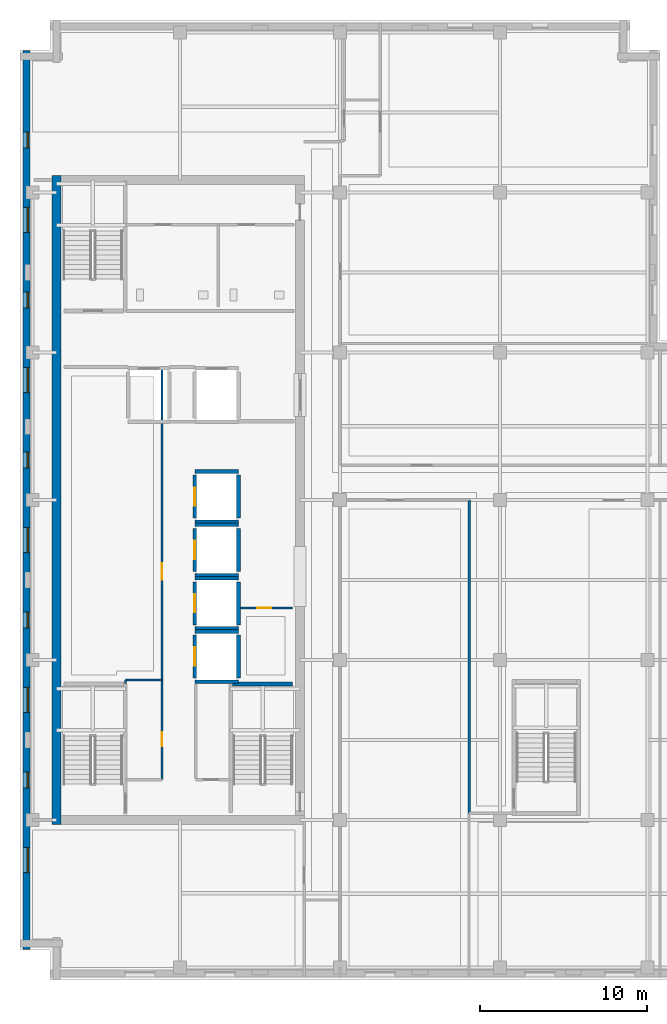
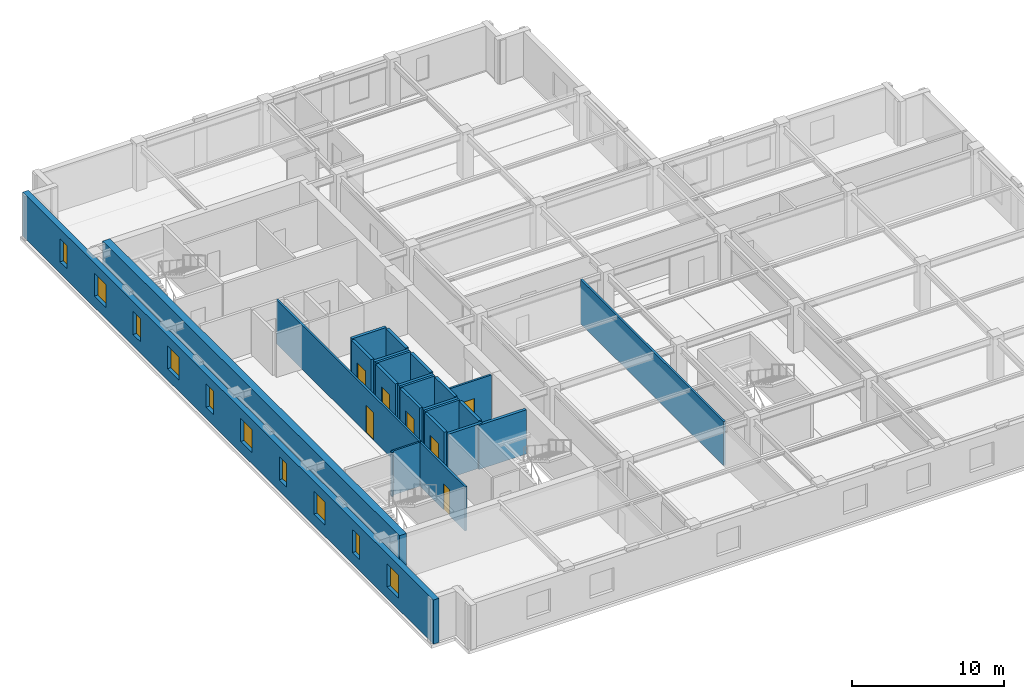
# One storey, part 4 of 12: 24 walls, 10 windows, 7 doors, 17 openings.
"""IFC4 building model written with IfcOpenShell, lengths in metres."""

from ifc_helpers import new_model, si_unit, direction, frame, frame_2d, origin, place, context, subcontext, project, spatial, rectangle, extrude, material, layer, layer_set, type_object, element, fill, save


model = new_model("IFC4")

# Units and contexts
model_context = context("Model", 3, precision=1e-05, world=origin(), true_north=direction((0.0, 1.0)))
body_context = subcontext(model_context, "Body", "Model", "MODEL_VIEW")
ifc_project = project(units=[si_unit("LENGTHUNIT", "METRE"), si_unit("AREAUNIT", "SQUARE_METRE"), si_unit("VOLUMEUNIT", "CUBIC_METRE"), si_unit("PLANEANGLEUNIT", "RADIAN"), si_unit("MASSUNIT", "GRAM", prefix="KILO")], contexts=[model_context])

# Site, building, storey
site_placement = place(None, origin())
site = spatial("IfcSite", under=ifc_project, at=site_placement, CompositionType="ELEMENT")
building_placement = place(site_placement, origin())
building = spatial("IfcBuilding", under=site, at=building_placement, Name="Norrvale University Quadrangle", CompositionType="ELEMENT")
storey_placement = place(building_placement, frame((0.0, 0.0, 244.60009765625)))
storey = spatial("IfcBuildingStorey", under=building, at=storey_placement, Name="L62", CompositionType="ELEMENT", Elevation=244.60009765625)

# Wall, openings, windows
ifc_material_1 = material(Name="Buff Norman Clay Brick Masonry", Category="masonry")
ifc_layer_1 = layer(ifc_material_1, 0.419921875, Name="Buff Norman Clay Brick Masonry")
ifc_layer_set_1 = layer_set([ifc_layer_1], Name="Buff Norman Clay Brick Masonry")
wall_type_1 = type_object("IfcWallType", Name="Wall Buff Brick 420", PredefinedType="SOLIDWALL", material=ifc_layer_set_1)
wall_1_placement = place(storey_placement, frame((0.389892578125, 55.760009765625, 0.0), z_axis=(0.0, 0.0, 1.0), x_axis=(0.0, -1.0, 0.0)))
wall_1 = element("IfcWall", 1, at=wall_1_placement, inside=storey, type_object=wall_type_1, Name="Exterior Brick Facade Wall L62-14.1", PredefinedType="SOLIDWALL", context=body_context, shape_type="SweptSolid", body=[
    extrude(rectangle(XDim=53.919921875, YDim=0.419921875, at=frame_2d((26.9599609375, 0.0))), origin(), (0.0, 0.0, 1.0), 3.539794921875),
])
opening_1_placement = place(wall_1_placement, frame((4.885009765625, 0.0, 0.89990234375)))
opening_1 = element("IfcOpeningElement", 2, at=opening_1_placement, cuts=wall_1, Name="Opening W04", PredefinedType="OPENING", context=body_context, shape_type="SweptSolid", body=[
    extrude(rectangle(XDim=0.949951171875, YDim=1.85009765625, at=frame_2d((0.47509765625, 0.925048828125))), frame((0.0, 0.221923828125, 0.0), z_axis=(0.0, -1.0, 0.0), x_axis=(1.0, 0.0, 0.0)), (0.0, 0.0, 1.0), 0.44384765625),
])
opening_2_placement = place(wall_1_placement, frame((9.409912109375, 0.0, 0.89990234375)))
opening_2 = element("IfcOpeningElement", 3, at=opening_2_placement, cuts=wall_1, Name="Opening W03", PredefinedType="OPENING", context=body_context, shape_type="SweptSolid", body=[
    extrude(rectangle(XDim=1.5, YDim=1.85009765625, at=frame_2d((0.75, 0.925048828125))), frame((0.0, 0.221923828125, 0.0), z_axis=(0.0, -1.0, 0.0), x_axis=(1.0, 0.0, 0.0)), (0.0, 0.0, 1.0), 0.44384765625),
])
opening_3_placement = place(wall_1_placement, frame((14.485107421875, 0.0, 0.89990234375)))
opening_3 = element("IfcOpeningElement", 4, at=opening_3_placement, cuts=wall_1, Name="Opening W04", PredefinedType="OPENING", context=body_context, shape_type="SweptSolid", body=[
    extrude(rectangle(XDim=0.949951171875, YDim=1.85009765625, at=frame_2d((0.47509765625, 0.925048828125))), frame((0.0, 0.221923828125, 0.0), z_axis=(0.0, -1.0, 0.0), x_axis=(1.0, 0.0, 0.0)), (0.0, 0.0, 1.0), 0.44384765625),
])
opening_4_placement = place(wall_1_placement, frame((19.010009765625, 0.0, 0.89990234375)))
opening_4 = element("IfcOpeningElement", 5, at=opening_4_placement, cuts=wall_1, Name="Opening W03", PredefinedType="OPENING", context=body_context, shape_type="SweptSolid", body=[
    extrude(rectangle(XDim=1.5, YDim=1.85009765625, at=frame_2d((0.75, 0.925048828125))), frame((0.0, 0.221923828125, 0.0), z_axis=(0.0, -1.0, 0.0), x_axis=(1.0, 0.0, 0.0)), (0.0, 0.0, 1.0), 0.44384765625),
])
opening_5_placement = place(wall_1_placement, frame((24.0849609375, 0.0, 0.89990234375)))
opening_5 = element("IfcOpeningElement", 6, at=opening_5_placement, cuts=wall_1, Name="Opening W04", PredefinedType="OPENING", context=body_context, shape_type="SweptSolid", body=[
    extrude(rectangle(XDim=0.949951171875, YDim=1.85009765625, at=frame_2d((0.47509765625, 0.925048828125))), frame((0.0, 0.221923828125, 0.0), z_axis=(0.0, -1.0, 0.0), x_axis=(1.0, 0.0, 0.0)), (0.0, 0.0, 1.0), 0.44384765625),
])
opening_6_placement = place(wall_1_placement, frame((28.610107421875, 0.0, 0.89990234375)))
opening_6 = element("IfcOpeningElement", 7, at=opening_6_placement, cuts=wall_1, Name="Opening W03", PredefinedType="OPENING", context=body_context, shape_type="SweptSolid", body=[
    extrude(rectangle(XDim=1.5, YDim=1.85009765625, at=frame_2d((0.75, 0.925048828125))), frame((0.0, 0.221923828125, 0.0), z_axis=(0.0, -1.0, 0.0), x_axis=(1.0, 0.0, 0.0)), (0.0, 0.0, 1.0), 0.44384765625),
])
opening_7_placement = place(wall_1_placement, frame((33.68505859375, 0.0, 0.89990234375)))
opening_7 = element("IfcOpeningElement", 8, at=opening_7_placement, cuts=wall_1, Name="Opening W04", PredefinedType="OPENING", context=body_context, shape_type="SweptSolid", body=[
    extrude(rectangle(XDim=0.949951171875, YDim=1.85009765625, at=frame_2d((0.47509765625, 0.925048828125))), frame((0.0, 0.221923828125, 0.0), z_axis=(0.0, -1.0, 0.0), x_axis=(1.0, 0.0, 0.0)), (0.0, 0.0, 1.0), 0.44384765625),
])
opening_8_placement = place(wall_1_placement, frame((38.2099609375, 0.0, 0.89990234375)))
opening_8 = element("IfcOpeningElement", 9, at=opening_8_placement, cuts=wall_1, Name="Opening W03", PredefinedType="OPENING", context=body_context, shape_type="SweptSolid", body=[
    extrude(rectangle(XDim=1.5, YDim=1.85009765625, at=frame_2d((0.75, 0.925048828125))), frame((0.0, 0.221923828125, 0.0), z_axis=(0.0, -1.0, 0.0), x_axis=(1.0, 0.0, 0.0)), (0.0, 0.0, 1.0), 0.44384765625),
])
opening_9_placement = place(wall_1_placement, frame((43.284912109375, 0.0, 0.89990234375)))
opening_9 = element("IfcOpeningElement", 10, at=opening_9_placement, cuts=wall_1, Name="Opening W04", PredefinedType="OPENING", context=body_context, shape_type="SweptSolid", body=[
    extrude(rectangle(XDim=0.949951171875, YDim=1.85009765625, at=frame_2d((0.47509765625, 0.925048828125))), frame((0.0, 0.221923828125, 0.0), z_axis=(0.0, -1.0, 0.0), x_axis=(1.0, 0.0, 0.0)), (0.0, 0.0, 1.0), 0.44384765625),
])
opening_10_placement = place(wall_1_placement, frame((47.81005859375, 0.0, 0.89990234375)))
opening_10 = element("IfcOpeningElement", 11, at=opening_10_placement, cuts=wall_1, Name="Opening W03", PredefinedType="OPENING", context=body_context, shape_type="SweptSolid", body=[
    extrude(rectangle(XDim=1.5, YDim=1.85009765625, at=frame_2d((0.75, 0.925048828125))), frame((0.0, 0.221923828125, 0.0), z_axis=(0.0, -1.0, 0.0), x_axis=(1.0, 0.0, 0.0)), (0.0, 0.0, 1.0), 0.44384765625),
])
ifc_material_2 = material(Name="Triple Low-E Argon Glazing", Category="glass")
window_type_1 = type_object("IfcWindowType", Name="Window Narrow Pier 950x2300", PartitioningType="SINGLE_PANEL", PredefinedType="WINDOW", material=ifc_material_2)
window_1_placement = place(opening_1_placement, origin())
window_1 = element("IfcWindow", 12, at=window_1_placement, inside=storey, type_object=window_type_1, Name="Window Narrow Pier 950x2300 WIN-L62-E14-1-01", OverallHeight=1.85009765625, OverallWidth=0.949951171875, PartitioningType="SINGLE_PANEL", PredefinedType="WINDOW", context=body_context, shape_type="SweptSolid", body=[
    extrude(rectangle(XDim=0.949951171875, YDim=1.85009765625, at=frame_2d((0.47509765625, 0.925048828125))), frame((0.0, 0.110107421875, 0.0), z_axis=(0.0, -1.0, 0.0), x_axis=(1.0, 0.0, 0.0)), (0.0, 0.0, 1.0), 0.06005859375),
])
fill(opening_1, window_1)
window_2_placement = place(opening_3_placement, origin())
window_2 = element("IfcWindow", 13, at=window_2_placement, inside=storey, type_object=window_type_1, Name="Window Narrow Pier 950x2300 WIN-L62-E14-1-03", OverallHeight=1.85009765625, OverallWidth=0.949951171875, PartitioningType="SINGLE_PANEL", PredefinedType="WINDOW", context=body_context, shape_type="SweptSolid", body=[
    extrude(rectangle(XDim=0.949951171875, YDim=1.85009765625, at=frame_2d((0.47509765625, 0.925048828125))), frame((0.0, 0.110107421875, 0.0), z_axis=(0.0, -1.0, 0.0), x_axis=(1.0, 0.0, 0.0)), (0.0, 0.0, 1.0), 0.06005859375),
])
fill(opening_3, window_2)
window_3_placement = place(opening_5_placement, origin())
window_3 = element("IfcWindow", 14, at=window_3_placement, inside=storey, type_object=window_type_1, Name="Window Narrow Pier 950x2300 WIN-L62-E14-1-05", OverallHeight=1.85009765625, OverallWidth=0.949951171875, PartitioningType="SINGLE_PANEL", PredefinedType="WINDOW", context=body_context, shape_type="SweptSolid", body=[
    extrude(rectangle(XDim=0.949951171875, YDim=1.85009765625, at=frame_2d((0.47509765625, 0.925048828125))), frame((0.0, 0.110107421875, 0.0), z_axis=(0.0, -1.0, 0.0), x_axis=(1.0, 0.0, 0.0)), (0.0, 0.0, 1.0), 0.06005859375),
])
fill(opening_5, window_3)
window_4_placement = place(opening_7_placement, origin())
window_4 = element("IfcWindow", 15, at=window_4_placement, inside=storey, type_object=window_type_1, Name="Window Narrow Pier 950x2300 WIN-L62-E14-1-07", OverallHeight=1.85009765625, OverallWidth=0.949951171875, PartitioningType="SINGLE_PANEL", PredefinedType="WINDOW", context=body_context, shape_type="SweptSolid", body=[
    extrude(rectangle(XDim=0.949951171875, YDim=1.85009765625, at=frame_2d((0.47509765625, 0.925048828125))), frame((0.0, 0.110107421875, 0.0), z_axis=(0.0, -1.0, 0.0), x_axis=(1.0, 0.0, 0.0)), (0.0, 0.0, 1.0), 0.06005859375),
])
fill(opening_7, window_4)
window_5_placement = place(opening_9_placement, origin())
window_5 = element("IfcWindow", 16, at=window_5_placement, inside=storey, type_object=window_type_1, Name="Window Narrow Pier 950x2300 WIN-L62-E14-1-09", OverallHeight=1.85009765625, OverallWidth=0.949951171875, PartitioningType="SINGLE_PANEL", PredefinedType="WINDOW", context=body_context, shape_type="SweptSolid", body=[
    extrude(rectangle(XDim=0.949951171875, YDim=1.85009765625, at=frame_2d((0.47509765625, 0.925048828125))), frame((0.0, 0.110107421875, 0.0), z_axis=(0.0, -1.0, 0.0), x_axis=(1.0, 0.0, 0.0)), (0.0, 0.0, 1.0), 0.06005859375),
])
fill(opening_9, window_5)
window_type_2 = type_object("IfcWindowType", Name="Window Studio 1500x2300", PartitioningType="DOUBLE_PANEL_VERTICAL", PredefinedType="WINDOW", material=ifc_material_2)
window_6_placement = place(opening_2_placement, origin())
window_6 = element("IfcWindow", 17, at=window_6_placement, inside=storey, type_object=window_type_2, Name="Window Studio 1500x2300 WIN-L62-E14-1-02", OverallHeight=1.85009765625, OverallWidth=1.5, PartitioningType="DOUBLE_PANEL_VERTICAL", PredefinedType="WINDOW", context=body_context, shape_type="SweptSolid", body=[
    extrude(rectangle(XDim=1.5, YDim=1.85009765625, at=frame_2d((0.75, 0.925048828125))), frame((0.0, 0.110107421875, 0.0), z_axis=(0.0, -1.0, 0.0), x_axis=(1.0, 0.0, 0.0)), (0.0, 0.0, 1.0), 0.06005859375),
])
fill(opening_2, window_6)
window_7_placement = place(opening_4_placement, origin())
window_7 = element("IfcWindow", 18, at=window_7_placement, inside=storey, type_object=window_type_2, Name="Window Studio 1500x2300 WIN-L62-E14-1-04", OverallHeight=1.85009765625, OverallWidth=1.5, PartitioningType="DOUBLE_PANEL_VERTICAL", PredefinedType="WINDOW", context=body_context, shape_type="SweptSolid", body=[
    extrude(rectangle(XDim=1.5, YDim=1.85009765625, at=frame_2d((0.75, 0.925048828125))), frame((0.0, 0.110107421875, 0.0), z_axis=(0.0, -1.0, 0.0), x_axis=(1.0, 0.0, 0.0)), (0.0, 0.0, 1.0), 0.06005859375),
])
fill(opening_4, window_7)
window_8_placement = place(opening_6_placement, origin())
window_8 = element("IfcWindow", 19, at=window_8_placement, inside=storey, type_object=window_type_2, Name="Window Studio 1500x2300 WIN-L62-E14-1-06", OverallHeight=1.85009765625, OverallWidth=1.5, PartitioningType="DOUBLE_PANEL_VERTICAL", PredefinedType="WINDOW", context=body_context, shape_type="SweptSolid", body=[
    extrude(rectangle(XDim=1.5, YDim=1.85009765625, at=frame_2d((0.75, 0.925048828125))), frame((0.0, 0.110107421875, 0.0), z_axis=(0.0, -1.0, 0.0), x_axis=(1.0, 0.0, 0.0)), (0.0, 0.0, 1.0), 0.06005859375),
])
fill(opening_6, window_8)
window_9_placement = place(opening_8_placement, origin())
window_9 = element("IfcWindow", 20, at=window_9_placement, inside=storey, type_object=window_type_2, Name="Window Studio 1500x2300 WIN-L62-E14-1-08", OverallHeight=1.85009765625, OverallWidth=1.5, PartitioningType="DOUBLE_PANEL_VERTICAL", PredefinedType="WINDOW", context=body_context, shape_type="SweptSolid", body=[
    extrude(rectangle(XDim=1.5, YDim=1.85009765625, at=frame_2d((0.75, 0.925048828125))), frame((0.0, 0.110107421875, 0.0), z_axis=(0.0, -1.0, 0.0), x_axis=(1.0, 0.0, 0.0)), (0.0, 0.0, 1.0), 0.06005859375),
])
fill(opening_8, window_9)
window_10_placement = place(opening_10_placement, origin())
window_10 = element("IfcWindow", 21, at=window_10_placement, inside=storey, type_object=window_type_2, Name="Window Studio 1500x2300 WIN-L62-E14-1-10", OverallHeight=1.85009765625, OverallWidth=1.5, PartitioningType="DOUBLE_PANEL_VERTICAL", PredefinedType="WINDOW", context=body_context, shape_type="SweptSolid", body=[
    extrude(rectangle(XDim=1.5, YDim=1.85009765625, at=frame_2d((0.75, 0.925048828125))), frame((0.0, 0.110107421875, 0.0), z_axis=(0.0, -1.0, 0.0), x_axis=(1.0, 0.0, 0.0)), (0.0, 0.0, 1.0), 0.06005859375),
])
fill(opening_10, window_10)

# Walls
ifc_material_3 = material(Name="Concrete C60/75", Category="concrete")
ifc_layer_2 = layer(ifc_material_3, 0.550048828125, Name="Concrete C60/75")
ifc_layer_set_2 = layer_set([ifc_layer_2], Name="Concrete C60/75")
wall_type_2 = type_object("IfcWallType", Name="Wall Core 550", PredefinedType="SHEAR", material=ifc_layer_set_2)
wall_2_placement = place(storey_placement, frame((2.199951171875, 9.324951171875, 0.0), z_axis=(0.0, 0.0, 1.0), x_axis=(0.0, 1.0, 0.0)))
element("IfcWall", 22, at=wall_2_placement, inside=storey, type_object=wall_type_2, Name="Tower Core Shear Wall L62-W", PredefinedType="SHEAR", context=body_context, shape_type="SweptSolid", body=[
    extrude(rectangle(XDim=38.949951171875, YDim=0.550048828125, at=frame_2d((19.47509765625, 0.0))), origin(), (0.0, 0.0, 1.0), 3.539794921875),
])
ifc_material_4 = material(Name="Standard Academic Gypsum Partition")
ifc_layer_3 = layer(ifc_material_4, 0.125, Name="Standard Academic Gypsum Partition")
ifc_layer_set_3 = layer_set([ifc_layer_3], Name="Standard Academic Gypsum Partition")
wall_type_3 = type_object("IfcWallType", Name="Wall Gypsum Academic 125", PredefinedType="PARTITIONING", material=ifc_layer_set_3)
wall_3_placement = place(storey_placement, frame((6.320068359375, 17.800048828125, 0.0), z_axis=(0.0, 0.0, 1.0), x_axis=(0.0, 1.0, 0.0)))
element("IfcWall", 23, at=wall_3_placement, inside=storey, type_object=wall_type_3, Name="Interior Partition WL-L62-REC-L1", PredefinedType="PARTITIONING", context=body_context, shape_type="SweptSolid", body=[
    extrude(rectangle(XDim=0.199951171875, YDim=0.125, at=frame_2d((0.10009765625, 0.0))), origin(), (0.0, 0.0, 1.0), 3.539794921875),
])
wall_4_placement = place(storey_placement, frame((6.320068359375, 18.0, 0.0), z_axis=(0.0, 0.0, 1.0), x_axis=(1.0, 0.0, 0.0)))
element("IfcWall", 24, at=wall_4_placement, inside=storey, type_object=wall_type_3, Name="Interior Partition WL-L62-REC-L2", PredefinedType="PARTITIONING", context=body_context, shape_type="SweptSolid", body=[
    extrude(rectangle(XDim=2.199951171875, YDim=0.125, at=frame_2d((1.10009765625, 0.0))), origin(), (0.0, 0.0, 1.0), 3.539794921875),
])

# Wall, opening, door
ifc_material_5 = material(Name="Fire-Rated Gypsum Stud Partition")
ifc_layer_4 = layer(ifc_material_5, 0.14990234375, Name="Fire-Rated Gypsum Stud Partition")
ifc_layer_set_4 = layer_set([ifc_layer_4], Name="Fire-Rated Gypsum Stud Partition")
wall_type_4 = type_object("IfcWallType", Name="Wall Gypsum Corridor 150", PredefinedType="PARTITIONING", material=ifc_layer_set_4)
wall_5_placement = place(storey_placement, frame((13.22509765625, 22.320068359375, 0.0), z_axis=(0.0, 0.0, 1.0), x_axis=(1.0, 0.0, 0.0)))
wall_5 = element("IfcWall", 25, at=wall_5_placement, inside=storey, type_object=wall_type_4, Name="Interior Partition WL-L62-JAN-N", PredefinedType="PARTITIONING", context=body_context, shape_type="SweptSolid", body=[
    extrude(rectangle(XDim=3.119873046875, YDim=0.14990234375, at=frame_2d((1.56005859375, 0.0))), origin(), (0.0, 0.0, 1.0), 3.539794921875),
])
opening_11_placement = place(wall_5_placement, frame((1.0, 0.0, 0.0)))
opening_11 = element("IfcOpeningElement", 26, at=opening_11_placement, cuts=wall_5, Name="Opening D10", PredefinedType="OPENING", context=body_context, shape_type="SweptSolid", body=[
    extrude(rectangle(XDim=0.85009765625, YDim=2.10009765625, at=frame_2d((0.425048828125, 1.050048828125))), frame((0.0, 0.0869140625, 0.0), z_axis=(0.0, -1.0, 0.0), x_axis=(1.0, 0.0, 0.0)), (0.0, 0.0, 1.0), 0.173828125),
])
ifc_material_6 = material(Name="Hollow Steel 350W Riser Fire Door", Category="steel")
door_type_1 = type_object("IfcDoorType", Name="Door Riser 850x2100", OperationType="NOTDEFINED", PredefinedType="DOOR", material=ifc_material_6)
door_1_placement = place(opening_11_placement, origin())
door_1 = element("IfcDoor", 27, at=door_1_placement, inside=storey, type_object=door_type_1, Name="Door Riser 850x2100 DR-L62-JAN", OperationType="SINGLE_SWING_LEFT", OverallHeight=2.10009765625, OverallWidth=0.85009765625, PredefinedType="DOOR", context=body_context, shape_type="SweptSolid", body=[
    extrude(rectangle(XDim=0.85009765625, YDim=2.10009765625, at=frame_2d((0.425048828125, 1.050048828125))), frame((0.0, 0.02490234375, 0.0), z_axis=(0.0, -1.0, 0.0), x_axis=(1.0, 0.0, 0.0)), (0.0, 0.0, 1.0), 0.050048828125),
])
fill(opening_11, door_1)

# Wall, openings, doors
wall_6_placement = place(storey_placement, frame((8.52001953125, 12.02001953125, 0.0), z_axis=(0.0, 0.0, 1.0), x_axis=(0.0, 1.0, 0.0)))
wall_6 = element("IfcWall", 28, at=wall_6_placement, inside=storey, type_object=wall_type_4, Name="Interior Partition WL-L62-REC-E", PredefinedType="PARTITIONING", context=body_context, shape_type="SweptSolid", body=[
    extrude(rectangle(XDim=24.760009765625, YDim=0.14990234375, at=frame_2d((12.3798828125, 0.0))), origin(), (0.0, 0.0, 1.0), 3.539794921875),
])
opening_12_placement = place(wall_6_placement, frame((2.0, 0.0, 0.0)))
opening_12 = element("IfcOpeningElement", 29, at=opening_12_placement, cuts=wall_6, Name="Opening D10", PredefinedType="OPENING", context=body_context, shape_type="SweptSolid", body=[
    extrude(rectangle(XDim=0.85009765625, YDim=2.10009765625, at=frame_2d((0.425048828125, 1.050048828125))), frame((0.0, 0.0869140625, 0.0), z_axis=(0.0, -1.0, 0.0), x_axis=(1.0, 0.0, 0.0)), (0.0, 0.0, 1.0), 0.173828125),
])
opening_13_placement = place(wall_6_placement, frame((12.0, 0.0, 0.0)))
opening_13 = element("IfcOpeningElement", 30, at=opening_13_placement, cuts=wall_6, Name="Opening D04", PredefinedType="OPENING", context=body_context, shape_type="SweptSolid", body=[
    extrude(rectangle(XDim=1.0, YDim=2.199951171875, at=frame_2d((0.5, 1.10009765625))), frame((0.0, 0.0869140625, 0.0), z_axis=(0.0, -1.0, 0.0), x_axis=(1.0, 0.0, 0.0)), (0.0, 0.0, 1.0), 0.173828125),
])
ifc_material_7 = material(Name="Solid-Core Oak Fire Door", Category="wood")
door_type_2 = type_object("IfcDoorType", Name="Door Corridor 1000x2200", OperationType="NOTDEFINED", PredefinedType="DOOR", material=ifc_material_7)
door_2_placement = place(opening_13_placement, origin())
door_2 = element("IfcDoor", 31, at=door_2_placement, inside=storey, type_object=door_type_2, Name="Door Corridor 1000x2200 DR-L62-REC2", OperationType="SINGLE_SWING_RIGHT", OverallHeight=2.199951171875, OverallWidth=1.0, PredefinedType="DOOR", context=body_context, shape_type="SweptSolid", body=[
    extrude(rectangle(XDim=1.0, YDim=2.199951171875, at=frame_2d((0.5, 1.10009765625))), frame((0.0, 0.02490234375, 0.0), z_axis=(0.0, -1.0, 0.0), x_axis=(1.0, 0.0, 0.0)), (0.0, 0.0, 1.0), 0.050048828125),
])
fill(opening_13, door_2)
door_3_placement = place(opening_12_placement, origin())
door_3 = element("IfcDoor", 32, at=door_3_placement, inside=storey, type_object=door_type_1, Name="Door Riser 850x2100 DR-L62-REC1", OperationType="SINGLE_SWING_LEFT", OverallHeight=2.10009765625, OverallWidth=0.85009765625, PredefinedType="DOOR", context=body_context, shape_type="SweptSolid", body=[
    extrude(rectangle(XDim=0.85009765625, YDim=2.10009765625, at=frame_2d((0.425048828125, 1.050048828125))), frame((0.0, 0.02490234375, 0.0), z_axis=(0.0, -1.0, 0.0), x_axis=(1.0, 0.0, 0.0)), (0.0, 0.0, 1.0), 0.050048828125),
])
fill(opening_12, door_3)

# Walls
wall_7_placement = place(storey_placement, frame((26.949951171875, 10.0, 0.0), z_axis=(0.0, 0.0, 1.0), x_axis=(0.0, 1.0, 0.0)))
element("IfcWall", 33, at=wall_7_placement, inside=storey, type_object=wall_type_4, Name="Interior Partition WL-L62-SEP1B", PredefinedType="PARTITIONING", context=body_context, shape_type="SweptSolid", body=[
    extrude(rectangle(XDim=18.800048828125, YDim=0.14990234375, at=frame_2d((9.39990234375, 0.0))), origin(), (0.0, 0.0, 1.0), 3.539794921875),
])
ifc_material_8 = material(Name="Concrete Blockwork 20 MPa Fire Shaft", Category="masonry")
ifc_layer_5 = layer(ifc_material_8, 0.219970703125, Name="Concrete Blockwork 20 MPa Fire Shaft")
ifc_layer_set_5 = layer_set([ifc_layer_5], Name="Concrete Blockwork 20 MPa Fire Shaft")
wall_type_5 = type_object("IfcWallType", Name="Wall Shaft 220", PredefinedType="SOLIDWALL", material=ifc_layer_set_5)
wall_8_placement = place(storey_placement, frame((12.75, 17.760009765625, 0.0), z_axis=(0.0, 0.0, 1.0), x_axis=(1.0, 0.0, 0.0)))
element("IfcWall", 34, at=wall_8_placement, inside=storey, type_object=wall_type_5, Name="Stair ST-03 North Shaft Wall L62", PredefinedType="SOLIDWALL", context=body_context, shape_type="SweptSolid", body=[
    extrude(rectangle(XDim=3.60009765625, YDim=0.219970703125, at=frame_2d((1.800048828125, 0.0))), origin(), (0.0, 0.0, 1.0), 3.539794921875),
])

# Wall, opening, door
wall_9_placement = place(storey_placement, frame((10.489990234375, 18.110107421875, 0.0), z_axis=(0.0, 0.0, 1.0), x_axis=(0.0, 1.0, 0.0)))
wall_9 = element("IfcWall", 35, at=wall_9_placement, inside=storey, type_object=wall_type_5, Name="Hoistway PL-05 West Wall L62", PredefinedType="SOLIDWALL", context=body_context, shape_type="SweptSolid", body=[
    extrude(rectangle(XDim=2.579833984375, YDim=0.219970703125, at=frame_2d((1.2900390625, 0.0))), origin(), (0.0, 0.0, 1.0), 3.539794921875),
])
opening_14_placement = place(wall_9_placement, frame((0.739990234375, 0.0, 0.0)))
opening_14 = element("IfcOpeningElement", 36, at=opening_14_placement, cuts=wall_9, Name="Opening LD1", PredefinedType="OPENING", context=body_context, shape_type="SweptSolid", body=[
    extrude(rectangle(XDim=1.10009765625, YDim=2.199951171875, at=frame_2d((0.550048828125, 1.10009765625))), frame((0.0, 0.1220703125, 0.0), z_axis=(0.0, -1.0, 0.0), x_axis=(1.0, 0.0, 0.0)), (0.0, 0.0, 1.0), 0.243896484375),
])
ifc_material_9 = material(Name="Stainless Steel 316L Lift Landing Door", Category="steel")
door_type_3 = type_object("IfcDoorType", Name="Door Lift Landing 1100x2200", OperationType="DOUBLE_DOOR_SLIDING", PredefinedType="DOOR", material=ifc_material_9)
door_4_placement = place(opening_14_placement, origin())
door_4 = element("IfcDoor", 37, at=door_4_placement, inside=storey, type_object=door_type_3, Name="Elevator Landing Door DR-L62-PL-05", OperationType="DOUBLE_DOOR_SLIDING", OverallHeight=2.199951171875, OverallWidth=1.10009765625, PredefinedType="DOOR", context=body_context, shape_type="SweptSolid", body=[
    extrude(rectangle(XDim=1.10009765625, YDim=2.199951171875, at=frame_2d((0.550048828125, 1.10009765625))), frame((0.0, 0.02490234375, 0.0), z_axis=(0.0, -1.0, 0.0), x_axis=(1.0, 0.0, 0.0)), (0.0, 0.0, 1.0), 0.050048828125),
])
fill(opening_14, door_4)

# Walls
wall_10_placement = place(storey_placement, frame((13.110107421875, 18.110107421875, 0.0), z_axis=(0.0, 0.0, 1.0), x_axis=(0.0, 1.0, 0.0)))
element("IfcWall", 38, at=wall_10_placement, inside=storey, type_object=wall_type_5, Name="Hoistway PL-05 East Wall L62", PredefinedType="SOLIDWALL", context=body_context, shape_type="SweptSolid", body=[
    extrude(rectangle(XDim=2.579833984375, YDim=0.219970703125, at=frame_2d((1.2900390625, 0.0))), origin(), (0.0, 0.0, 1.0), 3.539794921875),
])
for number, where, z_axis, x_axis, name in (
    (39, (10.489990234375, 17.889892578125, 0.0), (0.0, 0.0, 1.0), (1.0, 0.0, 0.0), "Hoistway PL-05 South Wall L62"),
    (40, (10.489990234375, 20.909912109375, 0.0), (0.0, 0.0, 1.0), (1.0, 0.0, 0.0), "Hoistway PL-05 North Wall L62"),
):
    element("IfcWall", number, at=place(storey_placement, frame(where, z_axis=z_axis, x_axis=x_axis)), inside=storey, type_object=wall_type_5, Name=name, PredefinedType="SOLIDWALL", context=body_context, shape_type="SweptSolid", body=[
        extrude(rectangle(XDim=2.6201171875, YDim=0.219970703125, at=frame_2d((1.31005859375, 0.0))), origin(), (0.0, 0.0, 1.0), 3.539794921875),
    ])

# Wall, opening, door
wall_11_placement = place(storey_placement, frame((10.489990234375, 21.31005859375, 0.0), z_axis=(0.0, 0.0, 1.0), x_axis=(0.0, 1.0, 0.0)))
wall_11 = element("IfcWall", 41, at=wall_11_placement, inside=storey, type_object=wall_type_5, Name="Hoistway PL-06 West Wall L62", PredefinedType="SOLIDWALL", context=body_context, shape_type="SweptSolid", body=[
    extrude(rectangle(XDim=2.579833984375, YDim=0.219970703125, at=frame_2d((1.2900390625, 0.0))), origin(), (0.0, 0.0, 1.0), 3.539794921875),
])
opening_15_placement = place(wall_11_placement, frame((0.739990234375, 0.0, 0.0)))
opening_15 = element("IfcOpeningElement", 42, at=opening_15_placement, cuts=wall_11, Name="Opening LD1", PredefinedType="OPENING", context=body_context, shape_type="SweptSolid", body=[
    extrude(rectangle(XDim=1.10009765625, YDim=2.199951171875, at=frame_2d((0.550048828125, 1.10009765625))), frame((0.0, 0.1220703125, 0.0), z_axis=(0.0, -1.0, 0.0), x_axis=(1.0, 0.0, 0.0)), (0.0, 0.0, 1.0), 0.243896484375),
])
door_5_placement = place(opening_15_placement, origin())
door_5 = element("IfcDoor", 43, at=door_5_placement, inside=storey, type_object=door_type_3, Name="Elevator Landing Door DR-L62-PL-06", OperationType="DOUBLE_DOOR_SLIDING", OverallHeight=2.199951171875, OverallWidth=1.10009765625, PredefinedType="DOOR", context=body_context, shape_type="SweptSolid", body=[
    extrude(rectangle(XDim=1.10009765625, YDim=2.199951171875, at=frame_2d((0.550048828125, 1.10009765625))), frame((0.0, 0.02490234375, 0.0), z_axis=(0.0, -1.0, 0.0), x_axis=(1.0, 0.0, 0.0)), (0.0, 0.0, 1.0), 0.050048828125),
])
fill(opening_15, door_5)

# Walls
wall_12_placement = place(storey_placement, frame((13.110107421875, 21.31005859375, 0.0), z_axis=(0.0, 0.0, 1.0), x_axis=(0.0, 1.0, 0.0)))
element("IfcWall", 44, at=wall_12_placement, inside=storey, type_object=wall_type_5, Name="Hoistway PL-06 East Wall L62", PredefinedType="SOLIDWALL", context=body_context, shape_type="SweptSolid", body=[
    extrude(rectangle(XDim=2.579833984375, YDim=0.219970703125, at=frame_2d((1.2900390625, 0.0))), origin(), (0.0, 0.0, 1.0), 3.539794921875),
])
for number, where, z_axis, x_axis, name in (
    (45, (10.489990234375, 21.090087890625, 0.0), (0.0, 0.0, 1.0), (1.0, 0.0, 0.0), "Hoistway PL-06 South Wall L62"),
    (46, (10.489990234375, 24.110107421875, 0.0), (0.0, 0.0, 1.0), (1.0, 0.0, 0.0), "Hoistway PL-06 North Wall L62"),
):
    element("IfcWall", number, at=place(storey_placement, frame(where, z_axis=z_axis, x_axis=x_axis)), inside=storey, type_object=wall_type_5, Name=name, PredefinedType="SOLIDWALL", context=body_context, shape_type="SweptSolid", body=[
        extrude(rectangle(XDim=2.6201171875, YDim=0.219970703125, at=frame_2d((1.31005859375, 0.0))), origin(), (0.0, 0.0, 1.0), 3.539794921875),
    ])

# Wall, opening, door
wall_13_placement = place(storey_placement, frame((10.489990234375, 24.510009765625, 0.0), z_axis=(0.0, 0.0, 1.0), x_axis=(0.0, 1.0, 0.0)))
wall_13 = element("IfcWall", 47, at=wall_13_placement, inside=storey, type_object=wall_type_5, Name="Hoistway PL-07 West Wall L62", PredefinedType="SOLIDWALL", context=body_context, shape_type="SweptSolid", body=[
    extrude(rectangle(XDim=2.580078125, YDim=0.219970703125, at=frame_2d((1.2900390625, 0.0))), origin(), (0.0, 0.0, 1.0), 3.539794921875),
])
opening_16_placement = place(wall_13_placement, frame((0.739990234375, 0.0, 0.0)))
opening_16 = element("IfcOpeningElement", 48, at=opening_16_placement, cuts=wall_13, Name="Opening LD1", PredefinedType="OPENING", context=body_context, shape_type="SweptSolid", body=[
    extrude(rectangle(XDim=1.10009765625, YDim=2.199951171875, at=frame_2d((0.550048828125, 1.10009765625))), frame((0.0, 0.1220703125, 0.0), z_axis=(0.0, -1.0, 0.0), x_axis=(1.0, 0.0, 0.0)), (0.0, 0.0, 1.0), 0.243896484375),
])
door_6_placement = place(opening_16_placement, origin())
door_6 = element("IfcDoor", 49, at=door_6_placement, inside=storey, type_object=door_type_3, Name="Elevator Landing Door DR-L62-PL-07", OperationType="DOUBLE_DOOR_SLIDING", OverallHeight=2.199951171875, OverallWidth=1.10009765625, PredefinedType="DOOR", context=body_context, shape_type="SweptSolid", body=[
    extrude(rectangle(XDim=1.10009765625, YDim=2.199951171875, at=frame_2d((0.550048828125, 1.10009765625))), frame((0.0, 0.02490234375, 0.0), z_axis=(0.0, -1.0, 0.0), x_axis=(1.0, 0.0, 0.0)), (0.0, 0.0, 1.0), 0.050048828125),
])
fill(opening_16, door_6)

# Walls
wall_14_placement = place(storey_placement, frame((13.110107421875, 24.510009765625, 0.0), z_axis=(0.0, 0.0, 1.0), x_axis=(0.0, 1.0, 0.0)))
element("IfcWall", 50, at=wall_14_placement, inside=storey, type_object=wall_type_5, Name="Hoistway PL-07 East Wall L62", PredefinedType="SOLIDWALL", context=body_context, shape_type="SweptSolid", body=[
    extrude(rectangle(XDim=2.580078125, YDim=0.219970703125, at=frame_2d((1.2900390625, 0.0))), origin(), (0.0, 0.0, 1.0), 3.539794921875),
])
for number, where, z_axis, x_axis, name in (
    (51, (10.489990234375, 24.2900390625, 0.0), (0.0, 0.0, 1.0), (1.0, 0.0, 0.0), "Hoistway PL-07 South Wall L62"),
    (52, (10.489990234375, 27.31005859375, 0.0), (0.0, 0.0, 1.0), (1.0, 0.0, 0.0), "Hoistway PL-07 North Wall L62"),
):
    element("IfcWall", number, at=place(storey_placement, frame(where, z_axis=z_axis, x_axis=x_axis)), inside=storey, type_object=wall_type_5, Name=name, PredefinedType="SOLIDWALL", context=body_context, shape_type="SweptSolid", body=[
        extrude(rectangle(XDim=2.6201171875, YDim=0.219970703125, at=frame_2d((1.31005859375, 0.0))), origin(), (0.0, 0.0, 1.0), 3.539794921875),
    ])

# Wall, opening, door
wall_15_placement = place(storey_placement, frame((10.489990234375, 27.7099609375, 0.0), z_axis=(0.0, 0.0, 1.0), x_axis=(0.0, 1.0, 0.0)))
wall_15 = element("IfcWall", 53, at=wall_15_placement, inside=storey, type_object=wall_type_5, Name="Hoistway PL-08 West Wall L62", PredefinedType="SOLIDWALL", context=body_context, shape_type="SweptSolid", body=[
    extrude(rectangle(XDim=2.580078125, YDim=0.219970703125, at=frame_2d((1.2900390625, 0.0))), origin(), (0.0, 0.0, 1.0), 3.539794921875),
])
opening_17_placement = place(wall_15_placement, frame((0.739990234375, 0.0, 0.0)))
opening_17 = element("IfcOpeningElement", 54, at=opening_17_placement, cuts=wall_15, Name="Opening LD1", PredefinedType="OPENING", context=body_context, shape_type="SweptSolid", body=[
    extrude(rectangle(XDim=1.10009765625, YDim=2.199951171875, at=frame_2d((0.550048828125, 1.10009765625))), frame((0.0, 0.1220703125, 0.0), z_axis=(0.0, -1.0, 0.0), x_axis=(1.0, 0.0, 0.0)), (0.0, 0.0, 1.0), 0.243896484375),
])
door_7_placement = place(opening_17_placement, origin())
door_7 = element("IfcDoor", 55, at=door_7_placement, inside=storey, type_object=door_type_3, Name="Elevator Landing Door DR-L62-PL-08", OperationType="DOUBLE_DOOR_SLIDING", OverallHeight=2.199951171875, OverallWidth=1.10009765625, PredefinedType="DOOR", context=body_context, shape_type="SweptSolid", body=[
    extrude(rectangle(XDim=1.10009765625, YDim=2.199951171875, at=frame_2d((0.550048828125, 1.10009765625))), frame((0.0, 0.02490234375, 0.0), z_axis=(0.0, -1.0, 0.0), x_axis=(1.0, 0.0, 0.0)), (0.0, 0.0, 1.0), 0.050048828125),
])
fill(opening_17, door_7)

# Walls
wall_16_placement = place(storey_placement, frame((13.110107421875, 27.7099609375, 0.0), z_axis=(0.0, 0.0, 1.0), x_axis=(0.0, 1.0, 0.0)))
element("IfcWall", 56, at=wall_16_placement, inside=storey, type_object=wall_type_5, Name="Hoistway PL-08 East Wall L62", PredefinedType="SOLIDWALL", context=body_context, shape_type="SweptSolid", body=[
    extrude(rectangle(XDim=2.580078125, YDim=0.219970703125, at=frame_2d((1.2900390625, 0.0))), origin(), (0.0, 0.0, 1.0), 3.539794921875),
])
for number, where, z_axis, x_axis, name in (
    (57, (10.489990234375, 27.489990234375, 0.0), (0.0, 0.0, 1.0), (1.0, 0.0, 0.0), "Hoistway PL-08 South Wall L62"),
    (58, (10.489990234375, 30.510009765625, 0.0), (0.0, 0.0, 1.0), (1.0, 0.0, 0.0), "Hoistway PL-08 North Wall L62"),
):
    element("IfcWall", number, at=place(storey_placement, frame(where, z_axis=z_axis, x_axis=x_axis)), inside=storey, type_object=wall_type_5, Name=name, PredefinedType="SOLIDWALL", context=body_context, shape_type="SweptSolid", body=[
        extrude(rectangle(XDim=2.6201171875, YDim=0.219970703125, at=frame_2d((1.31005859375, 0.0))), origin(), (0.0, 0.0, 1.0), 3.539794921875),
    ])

save(model, "model.ifc")
